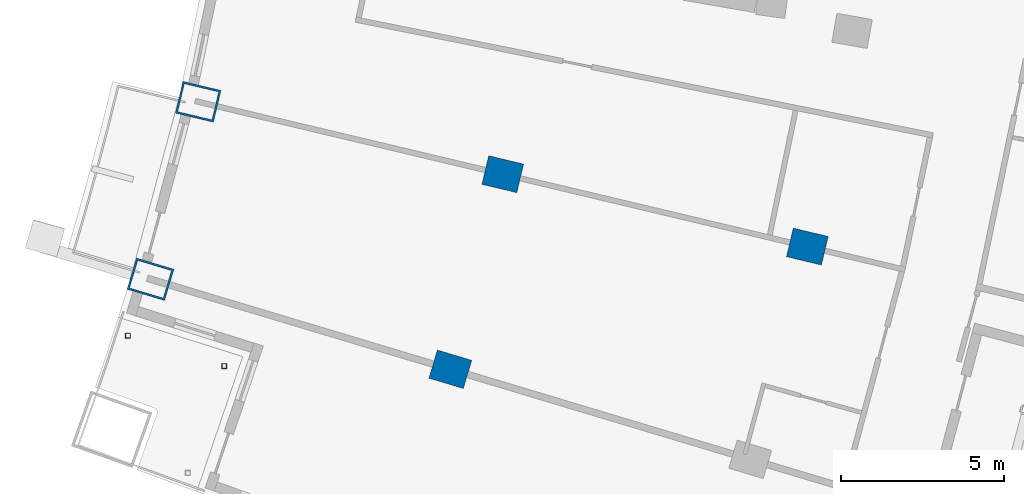
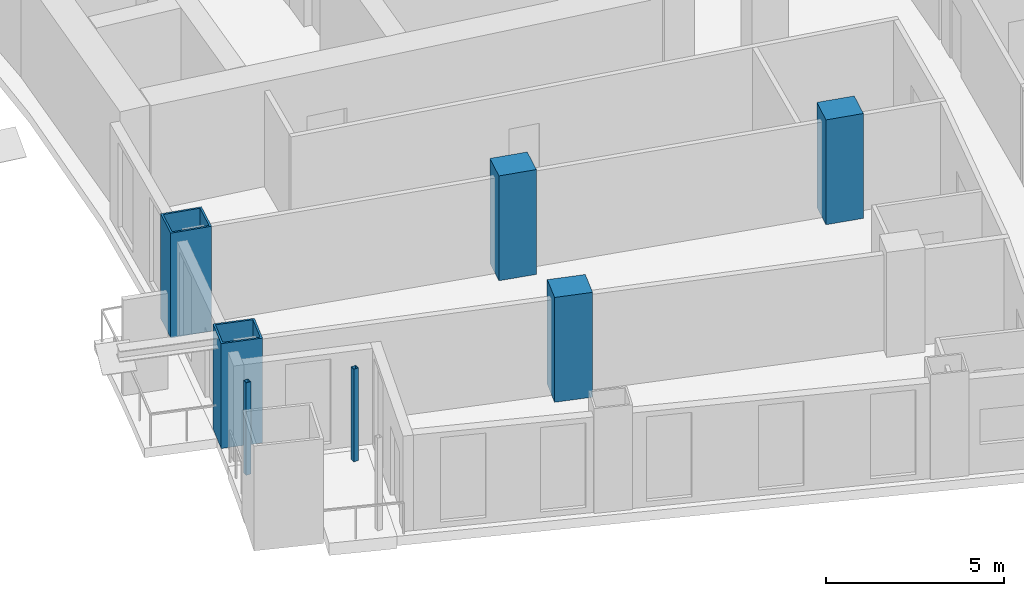
# One storey, part 3 of 24: 7 columns.
"""IFC4 building model written with IfcOpenShell, lengths in metres."""

import ifcopenshell
import ifcopenshell.guid

model = None  # the IFC model being written
_history = None  # IfcOwnerHistory: only IFC2X3 demands one
_inside = {}  # id of a spatial element -> (the spatial element, [elements in it])
_under = {}  # id of a project, library or spatial element -> (it, [spatial elements below it])
_declared = {}  # id of a project -> (the project, [libraries it declares])
_typed = {}  # id of a type object -> (the type object, [elements of that type])
_made_of = {}  # id of a material, layer set ... -> (it, [elements and type objects made of it])


def new_model(schema):
    """Start an empty IFC model of exactly this schema.

    Asked for "IFC4X3", IfcOpenShell would pick the latest addendum, in which some entities
    have other attributes; the version numbers below select the first issue.
    IFC2X3 requires an IfcOwnerHistory on every rooted entity: one is made here for all.
    """
    global model, _history
    if schema == "IFC4X3":
        model = ifcopenshell.file(schema_version=(4, 3, 0, 0))
    else:
        model = ifcopenshell.file(schema=schema)
    _inside.clear()
    _under.clear()
    _declared.clear()
    _typed.clear()
    _made_of.clear()
    _history = None
    if model.schema == "IFC2X3":
        org = make("IfcOrganization", Name="unknown")
        user = make(
            "IfcPersonAndOrganization",
            ThePerson=make("IfcPerson", FamilyName="unknown"),
            TheOrganization=org,
        )
        app = make(
            "IfcApplication",
            ApplicationDeveloper=org,
            Version="unknown",
            ApplicationFullName="unknown",
            ApplicationIdentifier="unknown",
        )
        _history = make(
            "IfcOwnerHistory",
            OwningUser=user,
            OwningApplication=app,
            ChangeAction="ADDED",
            CreationDate=0,
        )
    return model


def make(cls, **values):
    """One entity of the class cls with the attributes given. An attribute that is None is left unset."""
    return model.create_entity(
        cls, **{name: value for name, value in values.items() if value is not None}
    )


def rooted(cls, **values):
    """An entity with a GlobalId (a new one), such as an element, a storey or a relation."""
    return make(cls, GlobalId=ifcopenshell.guid.new(), OwnerHistory=_history, **values)


def si_unit(unit_type, name, prefix=None):
    """IfcSIUnit, for example si_unit("LENGTHUNIT", "METRE", prefix="MILLI")."""
    return make("IfcSIUnit", UnitType=unit_type, Prefix=prefix, Name=name)


def assignment(units):
    """IfcUnitAssignment: the units of a project."""
    return None if units is None else make("IfcUnitAssignment", Units=units)


def point(xyz):
    """IfcCartesianPoint."""
    return None if xyz is None else make("IfcCartesianPoint", Coordinates=xyz)


def direction(xyz):
    """IfcDirection."""
    return None if xyz is None else make("IfcDirection", DirectionRatios=xyz)


def frame(location, z_axis=None, x_axis=None):
    """IfcAxis2Placement3D, a coordinate frame: its origin and axes. An axis left out is left unset."""
    return make(
        "IfcAxis2Placement3D",
        Location=point(location),
        Axis=direction(z_axis),
        RefDirection=direction(x_axis),
    )


def frame_2d(location, x_axis=None):
    """IfcAxis2Placement2D, a coordinate frame in the plane: its origin and x axis."""
    return make(
        "IfcAxis2Placement2D", Location=point(location), RefDirection=direction(x_axis)
    )


def origin():
    """The frame at (0, 0, 0) with its axes left unset."""
    return frame((0.0, 0.0, 0.0))


def origin_2d():
    """The frame at (0, 0) in the plane with its x axis left unset."""
    return frame_2d((0.0, 0.0))


def place(relative_to, where):
    """IfcLocalPlacement: puts the frame where relative to a parent placement (None: the world)."""
    return make(
        "IfcLocalPlacement", PlacementRelTo=relative_to, RelativePlacement=where
    )


def context(
    kind, dimensions, precision=None, world=None, true_north=None, identifier=None
):
    """IfcGeometricRepresentationContext, for example the 3D "Model" context."""
    return make(
        "IfcGeometricRepresentationContext",
        ContextIdentifier=identifier,
        ContextType=kind,
        CoordinateSpaceDimension=dimensions,
        Precision=precision,
        WorldCoordinateSystem=world,
        TrueNorth=true_north,
    )


def subcontext(parent, identifier, kind, view, scale=None):
    """IfcGeometricRepresentationSubContext, for example "Body" below "Model"."""
    return make(
        "IfcGeometricRepresentationSubContext",
        ContextIdentifier=identifier,
        ContextType=kind,
        ParentContext=parent,
        TargetScale=scale,
        TargetView=view,
    )


def project(units=None, contexts=None):
    """IfcProject with its units and contexts."""
    return rooted(
        "IfcProject",
        Name="project",
        RepresentationContexts=contexts,
        UnitsInContext=assignment(units),
    )


def spatial(cls, under=None, at=None, **own):
    """A site, building, storey or space (cls), placed at a placement, below another one or the project."""
    s = rooted(cls, ObjectPlacement=at, **own)
    if under is not None:
        _under.setdefault(under.id(), (under, []))[1].append(s)
    return s


def profile(cls, at=None, kind="AREA", **sizes):
    """A parametric profile (cls). Its sizes go by their IFC names, for example OverallWidth=200.0."""
    return make(cls, ProfileType=kind, Position=at, **sizes)


def rectangle(**sizes):
    """IfcRectangleProfileDef."""
    return profile("IfcRectangleProfileDef", **sizes)


def hollow_rectangle(**sizes):
    """IfcRectangleHollowProfileDef."""
    return profile("IfcRectangleHollowProfileDef", **sizes)


def extrude(swept, where, along, depth):
    """IfcExtrudedAreaSolid: the profile swept, set in the frame where, extruded along a direction by depth."""
    return make(
        "IfcExtrudedAreaSolid",
        SweptArea=swept,
        Position=where,
        ExtrudedDirection=direction(along),
        Depth=depth,
    )


def shape(context_of_items, identifier, shape_type, items):
    """IfcShapeRepresentation: the items that make up one representation, for example the "Body"."""
    return make(
        "IfcShapeRepresentation",
        ContextOfItems=context_of_items,
        RepresentationIdentifier=identifier,
        RepresentationType=shape_type,
        Items=items,
    )


def material(Name=None, Category=None):
    """IfcMaterial."""
    return make("IfcMaterial", Name=Name, Category=Category)


def material_profile(
    of_material, cross_section, Name=None, Category=None, Priority=None
):
    """IfcMaterialProfile: a cross section and its material."""
    return make(
        "IfcMaterialProfile",
        Name=Name,
        Material=of_material,
        Profile=cross_section,
        Priority=Priority,
        Category=Category,
    )


def profile_set(profiles, Name=None, composite=None):
    """IfcMaterialProfileSet."""
    return make(
        "IfcMaterialProfileSet",
        Name=Name,
        MaterialProfiles=profiles,
        CompositeProfile=composite,
    )


def made_of(thing, what):
    """Note that an element or type object is made of a material, layer set ...; save() writes the relation."""
    if what is not None:
        _made_of.setdefault(what.id(), (what, []))[1].append(thing)
    return thing


def type_object(cls, material=None, **own):
    """A type object (cls), such as IfcWallType, which elements share."""
    return made_of(rooted(cls, **own), material)


def element(
    cls,
    number,
    at=None,
    inside=None,
    cuts=None,
    type_object=None,
    material=None,
    context=None,
    identifier="Body",
    shape_type=None,
    held_by="IfcProductDefinitionShape",
    body=None,
    shapes=None,
    **own,
):
    """One element of the class cls, such as IfcWall. Its Tag is "e" and its number.

    at: its placement. inside: the storey or other place that contains it. cuts: it is an
    opening in that element (IfcRelVoidsElement). A single representation is given by context,
    identifier, shape_type and body (its items); several are given by shapes. held_by: the class
    of the entity that holds the representations. save() writes the other relations.
    """
    e = rooted(cls, Tag="e%d" % number, ObjectPlacement=at, **own)
    if body is not None:
        shapes = [shape(context, identifier, shape_type, body)]
    if shapes is not None:
        e.Representation = make(held_by, Representations=shapes)
    if inside is not None:
        _inside.setdefault(inside.id(), (inside, []))[1].append(e)
    if cuts is not None:
        rooted(
            "IfcRelVoidsElement", RelatingBuildingElement=cuts, RelatedOpeningElement=e
        )
    if type_object is not None:
        _typed.setdefault(type_object.id(), (type_object, []))[1].append(e)
    return made_of(e, material)


def aggregate(whole, parts):
    """IfcRelAggregates: a whole, such as a stair, and the parts it consists of."""
    return rooted("IfcRelAggregates", RelatingObject=whole, RelatedObjects=parts)


def save(model, path):
    """Write the relations noted so far, then the file.

    IfcRelAggregates (storeys below a building ...), IfcRelContainedInSpatialStructure (elements
    in a storey), IfcRelDefinesByType, IfcRelAssociatesMaterial and IfcRelDeclares: one each for
    every whole, place, type object, material and project.
    """
    for whole, parts in _under.values():
        aggregate(whole, parts)
    for where, things in _inside.values():
        rooted(
            "IfcRelContainedInSpatialStructure",
            RelatedElements=things,
            RelatingStructure=where,
        )
    for kind, things in _typed.values():
        rooted("IfcRelDefinesByType", RelatedObjects=things, RelatingType=kind)
    for what, things in _made_of.values():
        rooted("IfcRelAssociatesMaterial", RelatedObjects=things, RelatingMaterial=what)
    for by, libraries in _declared.values():
        rooted("IfcRelDeclares", RelatingContext=by, RelatedDefinitions=libraries)
    model.write(path)


model = new_model("IFC4")

# Units and contexts
model_context = context("Model", 3, precision=1e-05, world=origin(), true_north=direction((0.0, 1.0)))
body_context = subcontext(model_context, "Body", "Model", "MODEL_VIEW")
ifc_project = project(units=[si_unit("LENGTHUNIT", "METRE"), si_unit("AREAUNIT", "SQUARE_METRE"), si_unit("VOLUMEUNIT", "CUBIC_METRE"), si_unit("PLANEANGLEUNIT", "RADIAN"), si_unit("MASSUNIT", "GRAM", prefix="KILO")], contexts=[model_context])

# Site, building, storey
site_placement = place(None, origin())
site = spatial("IfcSite", under=ifc_project, at=site_placement, CompositionType="ELEMENT")
building_placement = place(site_placement, origin())
building = spatial("IfcBuilding", under=site, at=building_placement, Name="Alderwake Tower", CompositionType="ELEMENT")
storey_placement = place(building_placement, frame((0.0, 0.0, 39.199951171875)))
storey = spatial("IfcBuildingStorey", under=building, at=storey_placement, Name="L08", CompositionType="ELEMENT", Elevation=39.199951171875)

# Columns
ifc_material_1 = material(Name="Concrete C70/85", Category="concrete")
ifc_material_profile_1 = material_profile(ifc_material_1, rectangle(XDim=0.89990234375, YDim=1.10009765625, at=origin_2d()), Name="RC 1100X900")
ifc_profile_set_1 = profile_set([ifc_material_profile_1], Name="Concrete C70/85")
column_type_1 = type_object("IfcColumnType", Name="Interior column Z1", PredefinedType="COLUMN", material=ifc_profile_set_1)
for number, where, z_axis, x_axis, name in (
    (1, (21.714599609375, 30.46240234375, 0.0), (0.0, 0.0, 1.0), (0.287549418125, 0.957765802342, 0.0), "Column R02-C1"),
    (2, (23.322021484375, 36.444091796875, 0.0), (0.0, 0.0, 1.0), (0.231221547198, 0.972901123502, 0.0), "Column R03-C1"),
    (3, (32.661865234375, 34.224609375, 0.0), (0.0, 0.0, 1.0), (0.231221547198, 0.972901123502, 0.0), "Column R03-C2"),
):
    element("IfcColumn", number, at=place(storey_placement, frame(where, z_axis=z_axis, x_axis=x_axis)), inside=storey, type_object=column_type_1, Name=name, PredefinedType="COLUMN", context=body_context, shape_type="SweptSolid", body=[
        extrude(rectangle(XDim=0.89990234375, YDim=1.10009765625, at=origin_2d()), origin(), (0.0, 0.0, 1.0), 3.60009765625),
    ])
ifc_material_2 = material(Name="Steel ASTM A500 Grade C", Category="steel")
ifc_material_profile_2 = material_profile(ifc_material_2, hollow_rectangle(XDim=0.15234375, YDim=0.15234375, WallThickness=0.0087890625, at=origin_2d()), Name="HSS6X6X3/8")
ifc_profile_set_2 = profile_set([ifc_material_profile_2], Name="Steel ASTM A500 Grade C")
column_type_2 = type_object("IfcColumnType", Name="Light post HSS6X6X3/8", PredefinedType="COLUMN", material=ifc_profile_set_2)
for number, where, z_axis, x_axis, name in (
    (4, (11.82568359375, 31.492919921875, 0.0), (0.0, 0.0, 1.0), (1.0, 0.0, 0.0), "Terrace post RS1"),
    (5, (14.781494140625, 30.558349609375, 0.0), (0.0, 0.0, 1.0), (1.0, 0.0, 0.0), "Terrace post RS3"),
):
    element("IfcColumn", number, at=place(storey_placement, frame(where, z_axis=z_axis, x_axis=x_axis)), inside=storey, type_object=column_type_2, Name=name, PredefinedType="COLUMN", context=body_context, shape_type="SweptSolid", body=[
        extrude(hollow_rectangle(XDim=0.15234375, YDim=0.15234375, WallThickness=0.0087890625, at=origin_2d()), origin(), (0.0, 0.0, 1.0), 3.179931640625),
    ])
ifc_material_3 = material(Name="Steel ASTM A572 Grade 50 concrete filled C70/85", Category="concrete")
ifc_material_profile_3 = material_profile(ifc_material_3, hollow_rectangle(XDim=1.0, YDim=1.199951171875, WallThickness=0.06005859375, at=origin_2d()), Name="BOX 1200X1000X60")
ifc_profile_set_3 = profile_set([ifc_material_profile_3], Name="Steel ASTM A572 Grade 50 concrete filled C70/85")
column_type_3 = type_object("IfcColumnType", Name="Perimeter column Z1", PredefinedType="COLUMN", material=ifc_profile_set_3)
for number, where, z_axis, x_axis, name in (
    (6, (12.520263671875, 33.222900390625, 0.0), (0.0, 0.0, 1.0), (0.287549418125, 0.957765802342, 0.0), "Column R02-C0"),
    (7, (13.982177734375, 38.6640625, 0.0), (0.0, 0.0, 1.0), (0.231221547198, 0.972901123502, 0.0), "Column R03-C0"),
):
    element("IfcColumn", number, at=place(storey_placement, frame(where, z_axis=z_axis, x_axis=x_axis)), inside=storey, type_object=column_type_3, Name=name, PredefinedType="COLUMN", context=body_context, shape_type="SweptSolid", body=[
        extrude(hollow_rectangle(XDim=1.0, YDim=1.199951171875, WallThickness=0.06005859375, at=origin_2d()), origin(), (0.0, 0.0, 1.0), 3.60009765625),
    ])

save(model, "model.ifc")
